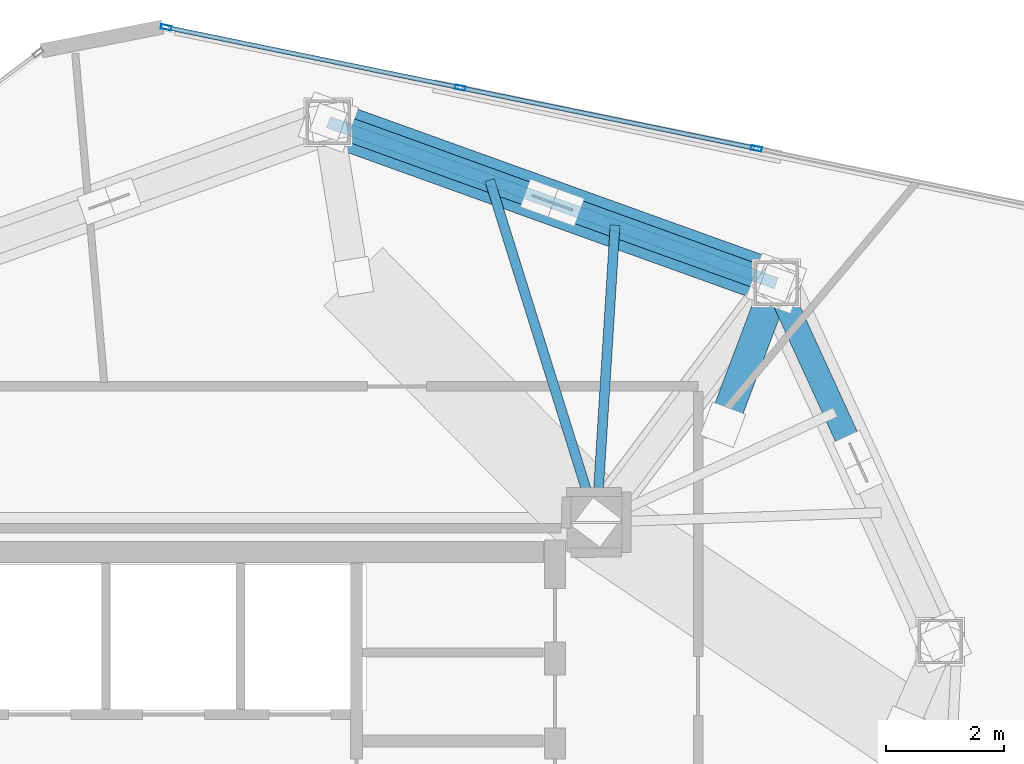
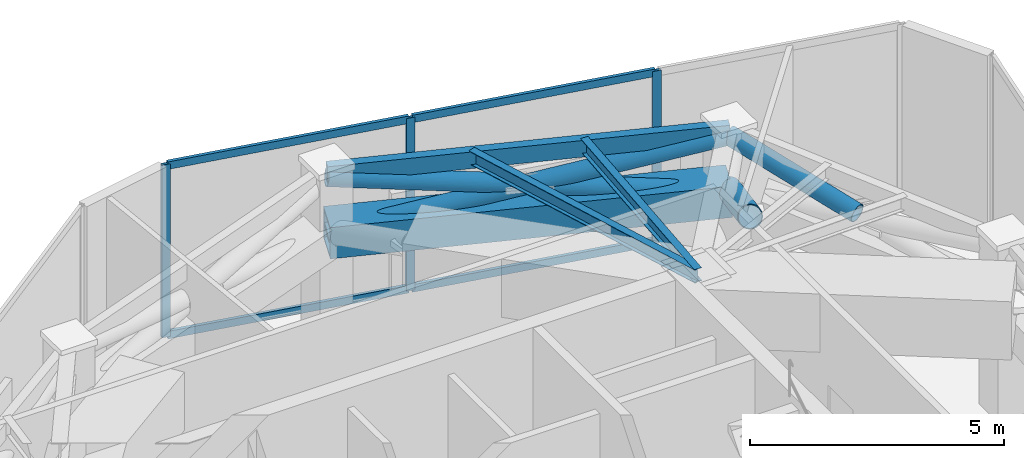
# One storey, part 13 of 19: 13 members, 3 beams, 1 element without a shape of its own.
"""IFC4 building model written with IfcOpenShell, lengths in metres."""

from ifc_helpers import new_model, si_unit, direction, frame, origin, origin_2d, place, context, subcontext, project, spatial, hollow_rectangle, hollow_circle, i_section, extrude, source, transform, mapped, material, layer, layer_set, material_profile, profile_set, type_object, type_shapes, element, aggregate, save


model = new_model("IFC4")

# Units and contexts
model_context = context("Model", 3, precision=1e-05, world=origin(), true_north=direction((0.0, 1.0)))
body_context = subcontext(model_context, "Body", "Model", "MODEL_VIEW")
ifc_project = project(units=[si_unit("LENGTHUNIT", "METRE"), si_unit("AREAUNIT", "SQUARE_METRE"), si_unit("VOLUMEUNIT", "CUBIC_METRE"), si_unit("PLANEANGLEUNIT", "RADIAN"), si_unit("MASSUNIT", "GRAM", prefix="KILO")], contexts=[model_context])

# Site, building, storey
site_placement = place(None, origin())
site = spatial("IfcSite", under=ifc_project, at=site_placement, CompositionType="ELEMENT")
building_placement = place(site_placement, origin())
building = spatial("IfcBuilding", under=site, at=building_placement, Name="Talar Marvaseh", CompositionType="ELEMENT")
storey_placement = place(building_placement, frame((0.0, 0.0, 236.199951171875)))
storey = spatial("IfcBuildingStorey", under=building, at=storey_placement, Name="L62", CompositionType="ELEMENT", Elevation=236.199951171875)

# Beams
ifc_material_1 = material(Name="Steel S355", Category="steel")
ifc_material_profile_1 = material_profile(ifc_material_1, hollow_rectangle(XDim=0.199951171875, YDim=0.39990234375, WallThickness=0.013916015625, at=origin_2d()), Name="RHS400x200x14")
ifc_profile_set_1 = profile_set([ifc_material_profile_1], Name="Steel S355")
beam_type_1 = type_object("IfcBeamType", Name="Zone 3 Perimeter Spandrel Beam RHS400x200x14", PredefinedType="SPANDREL", material=ifc_profile_set_1)
beam_1_placement = place(storey_placement, frame((28.76611328125, 43.66796875, 3.949951171875), z_axis=(0.940923359576, -0.3386195969, 0.0), x_axis=(0.3386195969, 0.940923359576, 0.0)))
element("IfcBeam", 1, at=beam_1_placement, inside=storey, type_object=beam_type_1, Name="L62 Zone 3 Perimeter Spandrel Beam RHS400x200x14", PredefinedType="SPANDREL", context=body_context, shape_type="SweptSolid", body=[
    extrude(hollow_rectangle(XDim=0.199951171875, YDim=0.39990234375, WallThickness=0.013916015625, at=origin_2d()), origin(), (0.0, 0.0, 1.0), 8.050537109375),
])
ifc_material_profile_2 = material_profile(ifc_material_1, i_section(OverallWidth=0.166015625, OverallDepth=0.31298828125, WebThickness=0.006591796875, FlangeThickness=0.01123046875, at=origin_2d()), Name="W310x45")
ifc_profile_set_2 = profile_set([ifc_material_profile_2], Name="Steel S355")
beam_type_2 = type_object("IfcBeamType", Name="Zone 3 Secondary Floor Joist W310x45", PredefinedType="JOIST", material=ifc_profile_set_2)
beam_2_placement = place(storey_placement, frame((31.492919921875, 42.6865234375, 3.99365234375), z_axis=(0.298096126955, -0.954535855322, 0.0), x_axis=(0.954535855322, 0.298096126955, 0.0)))
element("IfcBeam", 2, at=beam_2_placement, inside=storey, type_object=beam_type_2, Name="L62 Zone 3 Secondary Floor Joist W310x45", PredefinedType="JOIST", context=body_context, shape_type="SweptSolid", body=[
    extrude(i_section(OverallWidth=0.166015625, OverallDepth=0.31298828125, WebThickness=0.006591796875, FlangeThickness=0.01123046875, at=origin_2d()), origin(), (0.0, 0.0, 1.0), 6.062255859375),
])
beam_3_placement = place(storey_placement, frame((33.614013671875, 41.92333984375, 3.99365234375), z_axis=(-0.062378286155, -0.998052578483, 0.0), x_axis=(0.998052578483, -0.062378286155, 0.0)))
element("IfcBeam", 3, at=beam_3_placement, inside=storey, type_object=beam_type_2, Name="L62 Zone 3 Secondary Floor Joist W310x45", PredefinedType="JOIST", context=body_context, shape_type="SweptSolid", body=[
    extrude(i_section(OverallWidth=0.166015625, OverallDepth=0.31298828125, WebThickness=0.006591796875, FlangeThickness=0.01123046875, at=origin_2d()), origin(), (0.0, 0.0, 1.0), 5.033203125),
])

# Members
ifc_material_2 = material(Name="Steel S460", Category="steel")
ifc_material_profile_3 = material_profile(ifc_material_2, hollow_circle(Radius=0.25390625, WallThickness=0.02001953125, at=origin_2d()), Name="CHS508x20")
ifc_profile_set_3 = profile_set([ifc_material_profile_3], Name="Steel S460")
member_type_1 = type_object("IfcMemberType", Name="Crown Frame Diagonal Brace CHS508x20", PredefinedType="BRACE", material=ifc_profile_set_3)
shared_shape_1 = source(origin(), body_context, "Body", "SweptSolid", [
    extrude(hollow_circle(Radius=0.25390625, WallThickness=0.02001953125, at=origin_2d()), origin(), (0.0, 0.0, 1.0), 2.782470703125),
])
type_shapes(member_type_1, [shared_shape_1])
member_1_placement = place(storey_placement, frame((36.341064453125, 40.94189453125, 2.550048828125), z_axis=(-0.324561746892, -0.859268231229, 0.395370432954), x_axis=(0.935490339042, -0.353352268367, 0.0)))
element("IfcMember", 4, at=member_1_placement, inside=storey, type_object=member_type_1, Name="L62 Setback Transfer Raked Strut 6", PredefinedType="BRACE", context=body_context, shape_type="MappedRepresentation", body=[
    mapped(shared_shape_1, transform((0.0, 0.0, 0.0), x_axis=(1.0, 0.0, 0.0), y_axis=(0.0, 1.0, 0.0), z_axis=(0.0, 0.0, 1.0), scale=1.0)),
])
ifc_material_profile_4 = material_profile(ifc_material_2, hollow_rectangle(XDim=0.75, YDim=0.75, WallThickness=0.0400390625, at=origin_2d()), Name="BOX750x750x40")
ifc_profile_set_4 = profile_set([ifc_material_profile_4], Name="Steel S460")
member_type_2 = type_object("IfcMemberType", Name="Belt Truss Chord Member BOX750x750x40", PredefinedType="CHORD", material=ifc_profile_set_4)
shared_shape_2 = source(origin(), body_context, "Body", "SweptSolid", [
    extrude(hollow_rectangle(XDim=0.75, YDim=0.75, WallThickness=0.0400390625, at=origin_2d()), origin(), (0.0, 0.0, 1.0), 8.050537109375),
])
type_shapes(member_type_2, [shared_shape_2])
member_2_placement = place(storey_placement, frame((28.76611328125, 43.66796875, 2.5), z_axis=(0.940923359576, -0.3386195969, 0.0), x_axis=(0.3386195969, 0.940923359576, 0.0)))
element("IfcMember", 5, at=member_2_placement, inside=storey, type_object=member_type_2, Name="L62 Belt Truss Bottom Chord 1", PredefinedType="CHORD", context=body_context, shape_type="MappedRepresentation", body=[
    mapped(shared_shape_2, transform((0.0, 0.0, 0.0), x_axis=(1.0, 0.0, 0.0), y_axis=(0.0, 1.0, 0.0), z_axis=(0.0, 0.0, 1.0), scale=1.0)),
])
ifc_material_profile_5 = material_profile(ifc_material_2, hollow_circle(Radius=0.203125, WallThickness=0.01611328125, at=origin_2d()), Name="CHS406x16")
ifc_profile_set_5 = profile_set([ifc_material_profile_5], Name="Steel S460")
member_type_3 = type_object("IfcMemberType", Name="Belt Truss Diagonal Brace CHS406x16", PredefinedType="BRACE", material=ifc_profile_set_5)
shared_shape_3 = source(origin(), body_context, "Body", "SweptSolid", [
    extrude(hollow_circle(Radius=0.203125, WallThickness=0.01611328125, at=origin_2d()), origin(), (0.0, 0.0, 1.0), 8.1630859375),
])
member_3_placement = place(storey_placement, frame((28.76611328125, 43.66796875, 2.5), z_axis=(0.927964737008, -0.333956046457, 0.165392883477), x_axis=(0.3386195969, 0.940923359576, 0.0)))
element("IfcMember", 6, at=member_3_placement, inside=storey, type_object=member_type_3, Name="L62 Belt Truss Continuous Diagonal 1", PredefinedType="BRACE", context=body_context, shape_type="MappedRepresentation", body=[
    mapped(shared_shape_3, transform((0.0, 0.0, 0.0), x_axis=(1.0, 0.0, 0.0), y_axis=(0.0, 1.0, 0.0), z_axis=(0.0, 0.0, 1.0), scale=1.0)),
])
shared_shape_4 = source(origin(), body_context, "Body", "SweptSolid", [
    extrude(hollow_circle(Radius=0.203125, WallThickness=0.01611328125, at=origin_2d()), origin(), (0.0, 0.0, 1.0), 3.841552734375),
])
for number, where, z_axis, x_axis, name in (
    (7, (36.341064453125, 40.94189453125, 2.5), (-0.927969414717, 0.333959681847, 0.165359294418), (-0.338621349178, -0.940922728964, 0.0), "L62 Belt Truss Split Diagonal Lower 1"),
    (8, (32.330810546875, 42.385009765625, 3.21484375), (-0.927960588455, 0.333979377599, 0.16536904672), (-0.338641881334, -0.940915339553, 0.0), "L62 Belt Truss Split Diagonal Upper 1"),
):
    element("IfcMember", number, at=place(storey_placement, frame(where, z_axis=z_axis, x_axis=x_axis)), inside=storey, type_object=member_type_3, Name=name, PredefinedType="BRACE", context=body_context, shape_type="MappedRepresentation", body=[
        mapped(shared_shape_4, transform((0.0, 0.0, 0.0), x_axis=(1.0, 0.0, 0.0), y_axis=(0.0, 1.0, 0.0), z_axis=(0.0, 0.0, 1.0), scale=1.0)),
    ])
shared_shape_5 = source(origin(), body_context, "Body", "SweptSolid", [
    extrude(hollow_circle(Radius=0.203125, WallThickness=0.01611328125, at=origin_2d()), origin(), (0.0, 0.0, 1.0), 3.15869140625),
])
type_shapes(member_type_3, [shared_shape_3, shared_shape_4, shared_shape_5])
member_4_placement = place(storey_placement, frame((37.629150390625, 38.126953125, 3.22265625), z_axis=(-0.407803023723, 0.891199557151, 0.198645521412), x_axis=(-0.909321049024, -0.416095217229, 0.0)))
element("IfcMember", 9, at=member_4_placement, inside=storey, type_object=member_type_3, Name="L62 Belt Truss Split Diagonal Upper 2", PredefinedType="BRACE", context=body_context, shape_type="MappedRepresentation", body=[
    mapped(shared_shape_5, transform((0.0, 0.0, 0.0), x_axis=(1.0, 0.0, 0.0), y_axis=(0.0, 1.0, 0.0), z_axis=(0.0, 0.0, 1.0), scale=1.0)),
])

# Curtain wall, members
ifc_material_3 = material(Name="Architectural Aluminium", Category="aluminium")
ifc_layer = layer(ifc_material_3, 0.18994140625)
ifc_layer_set = layer_set([ifc_layer], Name="Architectural Aluminium")
curtain_wall_type = type_object("IfcCurtainWallType", Name="Unitised Solar Atelier Curtain Wall Z3", PredefinedType="NOTDEFINED", material=ifc_layer_set)
curtain_wall_placement = place(storey_placement, origin())
curtain_wall = element("IfcCurtainWall", 10, at=curtain_wall_placement, inside=storey, type_object=curtain_wall_type, Name="L62 Unitised Solar Atelier Curtain Wall Z3", PredefinedType="NOTDEFINED")
ifc_material_profile_6 = material_profile(ifc_material_3, hollow_rectangle(XDim=0.074951171875, YDim=0.179931640625, WallThickness=0.0048828125, at=origin_2d()), Name="RHS180x75x5")
ifc_profile_set_6 = profile_set([ifc_material_profile_6], Name="Architectural Aluminium")
member_type_4 = type_object("IfcMemberType", Name="Unitised Curtain Wall Standard Mullion RHS180x75x5", PredefinedType="MULLION", material=ifc_profile_set_6)
shared_shape_6 = source(origin(), body_context, "Body", "SweptSolid", [
    extrude(hollow_rectangle(XDim=0.074951171875, YDim=0.179931640625, WallThickness=0.0048828125, at=origin_2d()), origin(), (0.0, 0.0, 1.0), 4.150146484375),
])
type_shapes(member_type_4, [shared_shape_6])
member_5_placement = place(storey_placement, frame((26.02392578125, 45.269775390625, 0.0), z_axis=(0.0, 0.0, 1.0), x_axis=(0.201010714536, 0.979589042733, 0.0)))
member_5 = element("IfcMember", 11, at=member_5_placement, type_object=member_type_4, Name="CW-Z3 mullion 1", PredefinedType="MULLION", context=body_context, shape_type="MappedRepresentation", body=[
    mapped(shared_shape_6, transform((0.0, 0.0, 0.0), x_axis=(1.0, 0.0, 0.0), y_axis=(0.0, 1.0, 0.0), z_axis=(0.0, 0.0, 1.0), scale=1.0)),
])
member_6_placement = place(storey_placement, frame((30.995849609375, 44.24951171875, 0.0), z_axis=(0.0, 0.0, 1.0), x_axis=(0.201010714536, 0.979589042733, 0.0)))
member_6 = element("IfcMember", 12, at=member_6_placement, type_object=member_type_4, Name="CW-Z3 mullion 2", PredefinedType="MULLION", context=body_context, shape_type="MappedRepresentation", body=[
    mapped(shared_shape_6, transform((0.0, 0.0, 0.0), x_axis=(1.0, 0.0, 0.0), y_axis=(0.0, 1.0, 0.0), z_axis=(0.0, 0.0, 1.0), scale=1.0)),
])
member_7_placement = place(storey_placement, frame((36.004638671875, 43.2216796875, 0.0), z_axis=(0.0, 0.0, 1.0), x_axis=(0.201010714536, 0.979589042733, 0.0)))
member_7 = element("IfcMember", 13, at=member_7_placement, type_object=member_type_4, Name="CW-Z3 mullion 3", PredefinedType="MULLION", context=body_context, shape_type="MappedRepresentation", body=[
    mapped(shared_shape_6, transform((0.0, 0.0, 0.0), x_axis=(1.0, 0.0, 0.0), y_axis=(0.0, 1.0, 0.0), z_axis=(0.0, 0.0, 1.0), scale=1.0)),
])
ifc_material_profile_7 = material_profile(ifc_material_3, hollow_rectangle(XDim=0.074951171875, YDim=0.179931640625, WallThickness=0.0048828125, at=origin_2d()), Name="RHS180x75x5")
ifc_profile_set_7 = profile_set([ifc_material_profile_7], Name="Architectural Aluminium")
member_type_5 = type_object("IfcMemberType", Name="Unitised Curtain Wall Transom RHS180x75x5", PredefinedType="USERDEFINED", material=ifc_profile_set_7)
shared_shape_7 = source(origin(), body_context, "Body", "SweptSolid", [
    extrude(hollow_rectangle(XDim=0.074951171875, YDim=0.179931640625, WallThickness=0.0048828125, at=origin_2d()), origin(), (0.0, 0.0, 1.0), 5.00048828125),
])
member_8_placement = place(storey_placement, frame((26.060791015625, 45.26220703125, 0.03759765625), z_axis=(0.979590130968, -0.201005411144, 0.0), x_axis=(0.201005411144, 0.979590130968, 0.0)))
member_8 = element("IfcMember", 14, at=member_8_placement, type_object=member_type_5, Name="CW-Z3 transom 1.1", ObjectType="TRANSOM", PredefinedType="USERDEFINED", context=body_context, shape_type="MappedRepresentation", body=[
    mapped(shared_shape_7, transform((0.0, 0.0, 0.0), x_axis=(1.0, 0.0, 0.0), y_axis=(0.0, 1.0, 0.0), z_axis=(0.0, 0.0, 1.0), scale=1.0)),
])
member_9_placement = place(storey_placement, frame((26.060791015625, 45.26220703125, 4.112548828125), z_axis=(0.979590130968, -0.201005411144, 0.0), x_axis=(0.201005411144, 0.979590130968, 0.0)))
member_9 = element("IfcMember", 15, at=member_9_placement, type_object=member_type_5, Name="CW-Z3 transom 1.2", ObjectType="TRANSOM", PredefinedType="USERDEFINED", context=body_context, shape_type="MappedRepresentation", body=[
    mapped(shared_shape_7, transform((0.0, 0.0, 0.0), x_axis=(1.0, 0.0, 0.0), y_axis=(0.0, 1.0, 0.0), z_axis=(0.0, 0.0, 1.0), scale=1.0)),
])
shared_shape_8 = source(origin(), body_context, "Body", "SweptSolid", [
    extrude(hollow_rectangle(XDim=0.074951171875, YDim=0.179931640625, WallThickness=0.0048828125, at=origin_2d()), origin(), (0.0, 0.0, 1.0), 5.037841796875),
])
type_shapes(member_type_5, [shared_shape_7, shared_shape_8])
member_10_placement = place(storey_placement, frame((31.03271484375, 44.241943359375, 0.03759765625), z_axis=(0.979588022182, -0.20101568794, 0.0), x_axis=(0.20101568794, 0.979588022182, 0.0)))
member_10 = element("IfcMember", 16, at=member_10_placement, type_object=member_type_5, Name="CW-Z3 transom 2.1", ObjectType="TRANSOM", PredefinedType="USERDEFINED", context=body_context, shape_type="MappedRepresentation", body=[
    mapped(shared_shape_8, transform((0.0, 0.0, 0.0), x_axis=(1.0, 0.0, 0.0), y_axis=(0.0, 1.0, 0.0), z_axis=(0.0, 0.0, 1.0), scale=1.0)),
])
member_11_placement = place(storey_placement, frame((31.03271484375, 44.241943359375, 4.112548828125), z_axis=(0.979588022182, -0.20101568794, 0.0), x_axis=(0.20101568794, 0.979588022182, 0.0)))
member_11 = element("IfcMember", 17, at=member_11_placement, type_object=member_type_5, Name="CW-Z3 transom 2.2", ObjectType="TRANSOM", PredefinedType="USERDEFINED", context=body_context, shape_type="MappedRepresentation", body=[
    mapped(shared_shape_8, transform((0.0, 0.0, 0.0), x_axis=(1.0, 0.0, 0.0), y_axis=(0.0, 1.0, 0.0), z_axis=(0.0, 0.0, 1.0), scale=1.0)),
])
aggregate(curtain_wall, [member_5, member_6, member_7, member_8, member_9, member_10, member_11])

save(model, "model.ifc")
